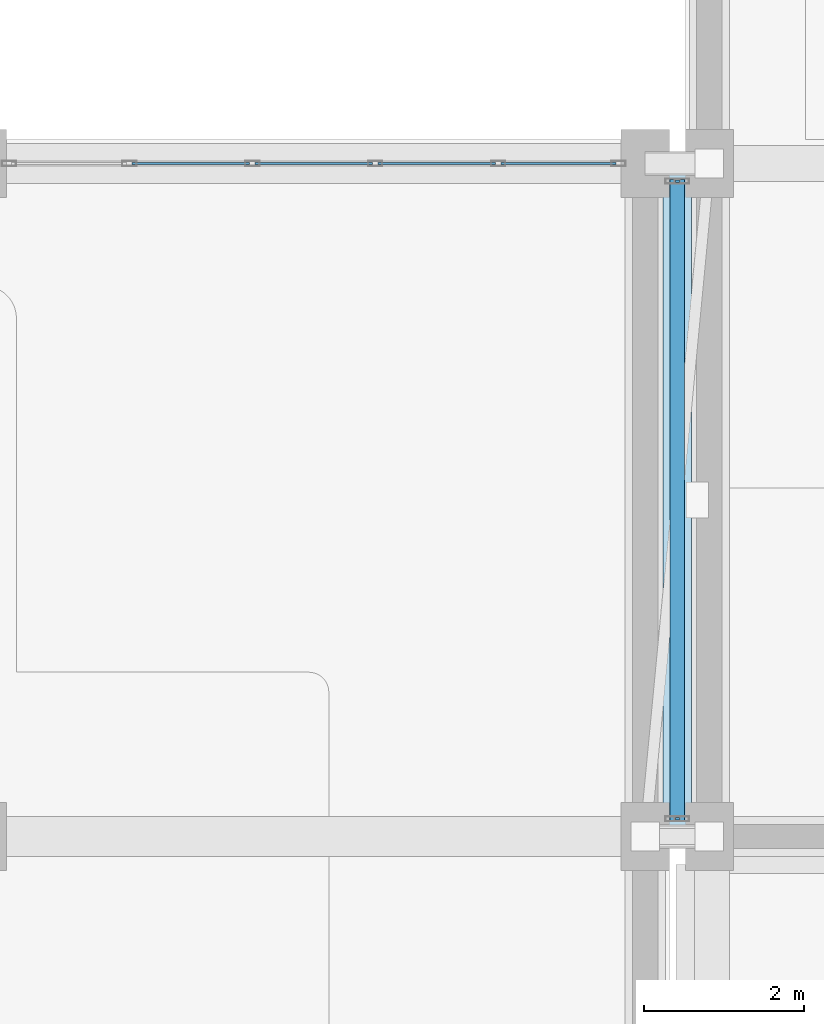
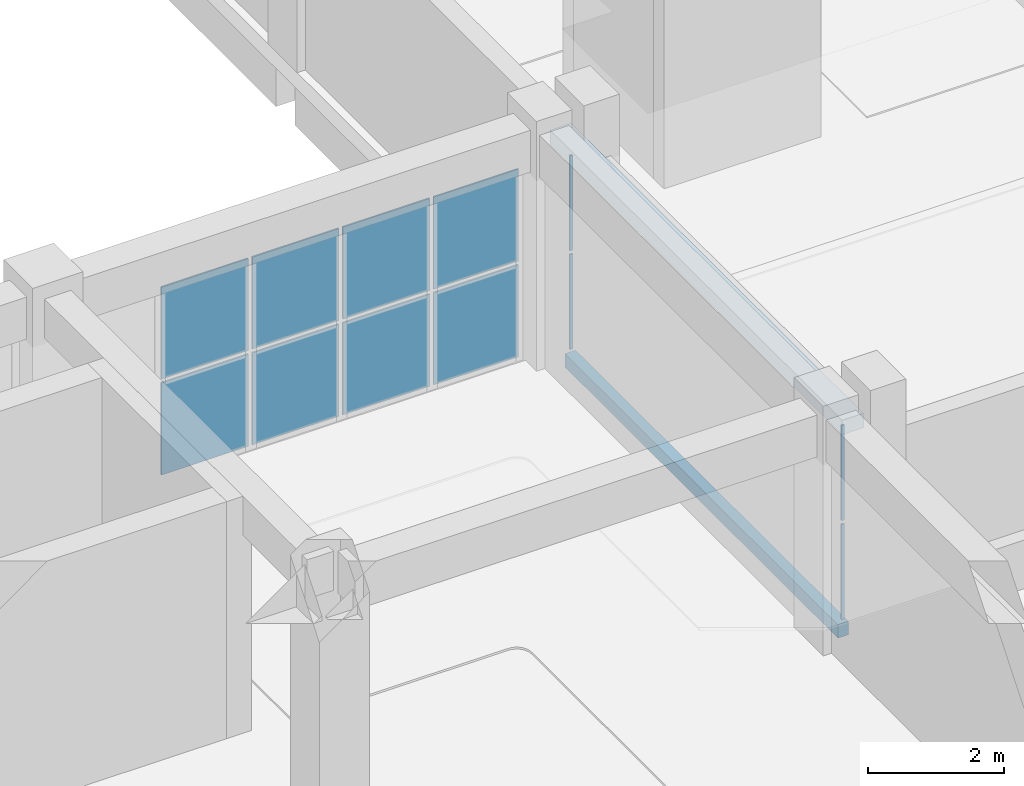
# One storey, part 101 of 129: 12 plates, 2 slabs, 3 elements without a shape of their own.
"""IFC4 building model written with IfcOpenShell, lengths in metres."""

from ifc_helpers import new_model, si_unit, direction, frame, origin, origin_2d, place, context, subcontext, project, spatial, polyline, rectangle, outline, extrude, material, layer, layer_set, type_object, element, aggregate, save


model = new_model("IFC4")

# Units and contexts
model_context = context("Model", 3, precision=1e-05, world=origin(), true_north=direction((0.0, 1.0)))
body_context = subcontext(model_context, "Body", "Model", "MODEL_VIEW")
ifc_project = project(units=[si_unit("LENGTHUNIT", "METRE"), si_unit("AREAUNIT", "SQUARE_METRE"), si_unit("VOLUMEUNIT", "CUBIC_METRE"), si_unit("PLANEANGLEUNIT", "RADIAN"), si_unit("MASSUNIT", "GRAM", prefix="KILO")], contexts=[model_context])

# Site, building, storey
site_placement = place(None, origin())
site = spatial("IfcSite", under=ifc_project, at=site_placement, CompositionType="ELEMENT")
building_placement = place(site_placement, origin())
building = spatial("IfcBuilding", under=site, at=building_placement, Name="Xazarin Passage Department Store", CompositionType="ELEMENT")
storey_placement = place(building_placement, frame((0.0, 0.0, 9.89990234375)))
storey = spatial("IfcBuildingStorey", under=building, at=storey_placement, Name="L02", CompositionType="ELEMENT", Elevation=9.89990234375)

# Curtain wall, plates
ifc_material_1 = material(Name="Bronze anodised aluminium", Category="aluminium")
ifc_layer_1 = layer(ifc_material_1, 0.169921875)
ifc_layer_set_1 = layer_set([ifc_layer_1], Name="Bronze anodised aluminium")
curtain_wall_type_1 = type_object("IfcCurtainWallType", Name="ARC-CW-ARC2", PredefinedType="NOTDEFINED", material=ifc_layer_set_1)
curtain_wall_1_placement = place(storey_placement, origin())
curtain_wall_1 = element("IfcCurtainWall", 1, at=curtain_wall_1_placement, inside=storey, type_object=curtain_wall_type_1, Name="L02 V2N Curtain Wall 117", PredefinedType="NOTDEFINED")
ifc_material_2 = material(Name="Low-E laminated safety glass", Category="glass")
ifc_layer_2 = layer(ifc_material_2, 0.028076171875)
ifc_layer_set_2 = layer_set([ifc_layer_2], Name="Low-E laminated safety glass")
plate_type = type_object("IfcPlateType", Name="ARC-CWP-GLZ28", PredefinedType="CURTAIN_PANEL", material=ifc_layer_set_2)
plate_1_placement = place(storey_placement, frame((95.927490234375, 93.199951171875, 0.065185546875), z_axis=(0.0, 0.0, 1.0), x_axis=(1.0, 0.0, 0.0)))
plate_1 = element("IfcPlate", 2, at=plate_1_placement, type_object=plate_type, Name="CW4 panel 2.1", PredefinedType="CURTAIN_PANEL", context=body_context, shape_type="SweptSolid", body=[
    extrude(rectangle(XDim=1.469970703125, YDim=0.028076171875, at=origin_2d()), origin(), (0.0, 0.0, 1.0), 1.6474609375),
])
plate_2_placement = place(storey_placement, frame((95.927490234375, 93.199951171875, 1.777587890625), z_axis=(0.0, 0.0, 1.0), x_axis=(1.0, 0.0, 0.0)))
plate_2 = element("IfcPlate", 3, at=plate_2_placement, type_object=plate_type, Name="CW4 panel 2.2", PredefinedType="CURTAIN_PANEL", context=body_context, shape_type="SweptSolid", body=[
    extrude(rectangle(XDim=1.469970703125, YDim=0.028076171875, at=origin_2d()), origin(), (0.0, 0.0, 1.0), 1.6474609375),
])
plate_3_placement = place(storey_placement, frame((97.46240234375, 93.199951171875, 0.065185546875), z_axis=(0.0, 0.0, 1.0), x_axis=(1.0, 0.0, 0.0)))
plate_3 = element("IfcPlate", 4, at=plate_3_placement, type_object=plate_type, Name="CW4 panel 3.1", PredefinedType="CURTAIN_PANEL", context=body_context, shape_type="SweptSolid", body=[
    extrude(rectangle(XDim=1.469970703125, YDim=0.028076171875, at=origin_2d()), origin(), (0.0, 0.0, 1.0), 1.6474609375),
])
plate_4_placement = place(storey_placement, frame((97.46240234375, 93.199951171875, 1.777587890625), z_axis=(0.0, 0.0, 1.0), x_axis=(1.0, 0.0, 0.0)))
plate_4 = element("IfcPlate", 5, at=plate_4_placement, type_object=plate_type, Name="CW4 panel 3.2", PredefinedType="CURTAIN_PANEL", context=body_context, shape_type="SweptSolid", body=[
    extrude(rectangle(XDim=1.469970703125, YDim=0.028076171875, at=origin_2d()), origin(), (0.0, 0.0, 1.0), 1.6474609375),
])
plate_5_placement = place(storey_placement, frame((98.99755859375, 93.199951171875, 0.065185546875), z_axis=(0.0, 0.0, 1.0), x_axis=(1.0, 0.0, 0.0)))
plate_5 = element("IfcPlate", 6, at=plate_5_placement, type_object=plate_type, Name="CW4 panel 4.1", PredefinedType="CURTAIN_PANEL", context=body_context, shape_type="SweptSolid", body=[
    extrude(rectangle(XDim=1.469970703125, YDim=0.028076171875, at=origin_2d()), origin(), (0.0, 0.0, 1.0), 1.6474609375),
])
plate_6_placement = place(storey_placement, frame((98.99755859375, 93.199951171875, 1.777587890625), z_axis=(0.0, 0.0, 1.0), x_axis=(1.0, 0.0, 0.0)))
plate_6 = element("IfcPlate", 7, at=plate_6_placement, type_object=plate_type, Name="CW4 panel 4.2", PredefinedType="CURTAIN_PANEL", context=body_context, shape_type="SweptSolid", body=[
    extrude(rectangle(XDim=1.469970703125, YDim=0.028076171875, at=origin_2d()), origin(), (0.0, 0.0, 1.0), 1.6474609375),
])
plate_7_placement = place(storey_placement, frame((100.516357421875, 93.199951171875, 0.065185546875), z_axis=(0.0, 0.0, 1.0), x_axis=(1.0, 0.0, 0.0)))
plate_7 = element("IfcPlate", 8, at=plate_7_placement, type_object=plate_type, Name="CW4 panel 5.1", PredefinedType="CURTAIN_PANEL", context=body_context, shape_type="SweptSolid", body=[
    extrude(rectangle(XDim=1.4375, YDim=0.028076171875, at=origin_2d()), origin(), (0.0, 0.0, 1.0), 1.6474609375),
])
plate_8_placement = place(storey_placement, frame((100.516357421875, 93.199951171875, 1.777587890625), z_axis=(0.0, 0.0, 1.0), x_axis=(1.0, 0.0, 0.0)))
plate_8 = element("IfcPlate", 9, at=plate_8_placement, type_object=plate_type, Name="CW4 panel 5.2", PredefinedType="CURTAIN_PANEL", context=body_context, shape_type="SweptSolid", body=[
    extrude(rectangle(XDim=1.4375, YDim=0.028076171875, at=origin_2d()), origin(), (0.0, 0.0, 1.0), 1.6474609375),
])
aggregate(curtain_wall_1, [plate_1, plate_2, plate_3, plate_4, plate_5, plate_6, plate_7, plate_8])

ifc_layer_3 = layer(ifc_material_1, 0.14990234375)
ifc_layer_set_3 = layer_set([ifc_layer_3], Name="Bronze anodised aluminium")
curtain_wall_type_2 = type_object("IfcCurtainWallType", Name="ARC-CW-BRG1", PredefinedType="NOTDEFINED", material=ifc_layer_set_3)
curtain_wall_2_placement = place(storey_placement, origin())
curtain_wall_2 = element("IfcCurtainWall", 10, at=curtain_wall_2_placement, inside=storey, type_object=curtain_wall_type_2, Name="L02 BR-V2N-V4 Bridge Curtain Wall 1", PredefinedType="NOTDEFINED")
plate_9_placement = place(storey_placement, frame((102.0, 85.02001953125, 0.06494140625), z_axis=(0.0, 0.0, 1.0), x_axis=(1.0, 0.0, 0.0)))
plate_9 = element("IfcPlate", 11, at=plate_9_placement, type_object=plate_type, Name="CW7 panel 1.1", PredefinedType="CURTAIN_PANEL", context=body_context, shape_type="SweptSolid", body=[
    extrude(rectangle(XDim=0.050048828125, YDim=0.028076171875, at=origin_2d()), origin(), (0.0, 0.0, 1.0), 1.702392578125),
])
plate_10_placement = place(storey_placement, frame((102.0, 85.02001953125, 1.83251953125), z_axis=(0.0, 0.0, 1.0), x_axis=(1.0, 0.0, 0.0)))
plate_10 = element("IfcPlate", 12, at=plate_10_placement, type_object=plate_type, Name="CW7 panel 1.2", PredefinedType="CURTAIN_PANEL", context=body_context, shape_type="SweptSolid", body=[
    extrude(rectangle(XDim=0.050048828125, YDim=0.028076171875, at=origin_2d()), origin(), (0.0, 0.0, 1.0), 1.702392578125),
])
aggregate(curtain_wall_2, [plate_9, plate_10])

curtain_wall_3_placement = place(storey_placement, origin())
curtain_wall_3 = element("IfcCurtainWall", 13, at=curtain_wall_3_placement, inside=storey, type_object=curtain_wall_type_2, Name="L02 BR-V2N-V4 Bridge Curtain Wall 2", PredefinedType="NOTDEFINED")
plate_11_placement = place(storey_placement, frame((102.0, 92.97998046875, 0.06494140625), z_axis=(0.0, 0.0, 1.0), x_axis=(1.0, 0.0, 0.0)))
plate_11 = element("IfcPlate", 14, at=plate_11_placement, type_object=plate_type, Name="CW7 panel 1.1", PredefinedType="CURTAIN_PANEL", context=body_context, shape_type="SweptSolid", body=[
    extrude(rectangle(XDim=0.050048828125, YDim=0.028076171875, at=origin_2d()), origin(), (0.0, 0.0, 1.0), 1.702392578125),
])
plate_12_placement = place(storey_placement, frame((102.0, 92.97998046875, 1.83251953125), z_axis=(0.0, 0.0, 1.0), x_axis=(1.0, 0.0, 0.0)))
plate_12 = element("IfcPlate", 15, at=plate_12_placement, type_object=plate_type, Name="CW7 panel 1.2", PredefinedType="CURTAIN_PANEL", context=body_context, shape_type="SweptSolid", body=[
    extrude(rectangle(XDim=0.050048828125, YDim=0.028076171875, at=origin_2d()), origin(), (0.0, 0.0, 1.0), 1.702392578125),
])
aggregate(curtain_wall_3, [plate_11, plate_12])

# Slabs
ifc_material_3 = material(Name="Concrete C35/45", Category="concrete")
ifc_layer_4 = layer(ifc_material_3, 0.239990234375)
ifc_layer_set_4 = layer_set([ifc_layer_4], Name="Concrete C35/45")
slab_type_1 = type_object("IfcSlabType", Name="STR-SLB-BRG240", PredefinedType="FLOOR", material=ifc_layer_set_4)
slab_1_placement = place(storey_placement, frame((0.0, 0.0, -0.239990234375)))
element("IfcSlab", 16, at=slab_1_placement, inside=storey, type_object=slab_type_1, Name="L02 BR-V2N-V4 Bridge Floor Deck", PredefinedType="FLOOR", context=body_context, shape_type="SweptSolid", body=[
    extrude(outline(polyline([(101.909912109375, 85.0), (102.090087890625, 85.0), (102.090087890625, 93.0), (101.909912109375, 93.0), (101.909912109375, 85.0)])), origin(), (0.0, 0.0, 1.0), 0.239990234375),
])
ifc_layer_5 = layer(ifc_material_3, 0.260009765625)
ifc_layer_set_5 = layer_set([ifc_layer_5], Name="Concrete C35/45")
slab_type_2 = type_object("IfcSlabType", Name="STR-SLB-RF260", PredefinedType="ROOF", material=ifc_layer_set_5)
slab_2_placement = place(storey_placement, frame((0.0, 0.0, 3.60009765625)))
element("IfcSlab", 17, at=slab_2_placement, inside=storey, type_object=slab_type_2, Name="L02 BR-V2N-V4 Bridge Roof Deck", PredefinedType="ROOF", context=body_context, shape_type="SweptSolid", body=[
    extrude(outline(polyline([(101.820068359375, 84.719970703125), (102.179931640625, 84.719970703125), (102.179931640625, 93.280029296875), (101.820068359375, 93.280029296875), (101.820068359375, 84.719970703125)])), origin(), (0.0, 0.0, 1.0), 0.260009765625),
])

save(model, "model.ifc")
